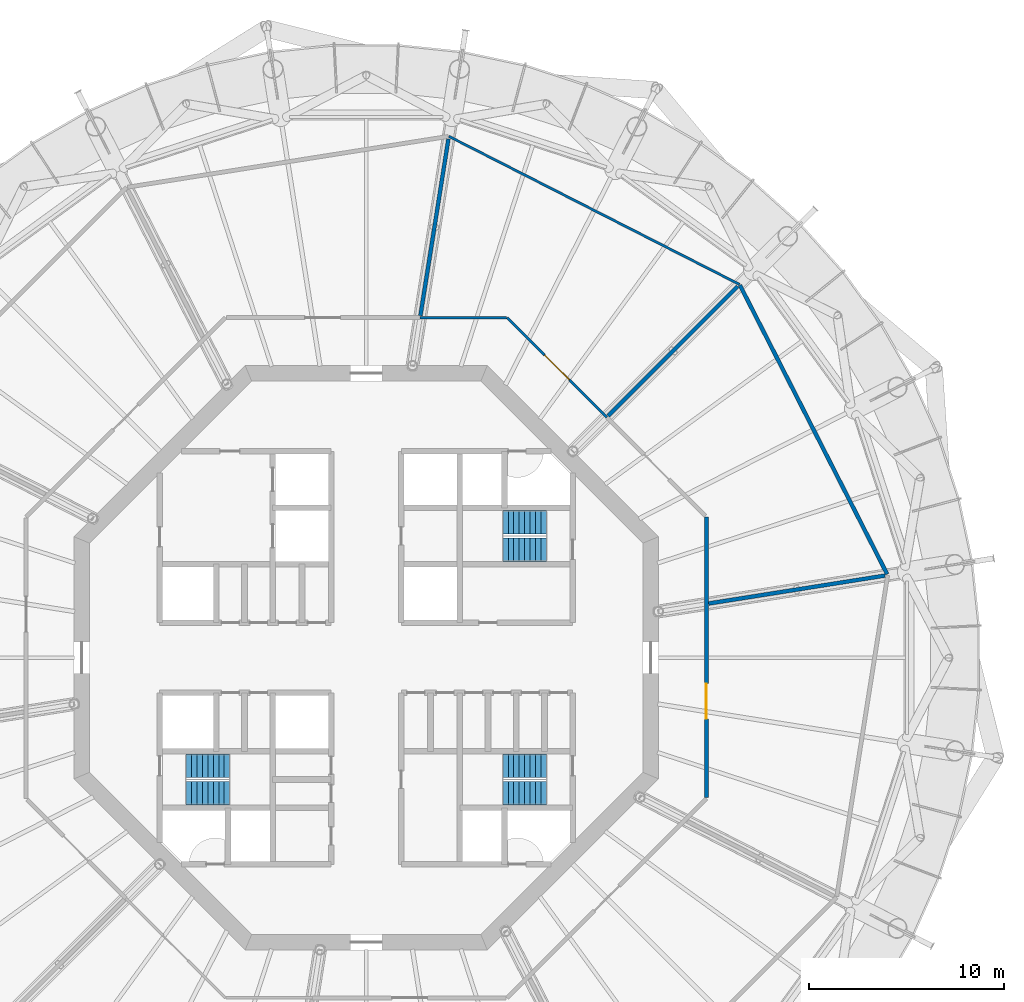
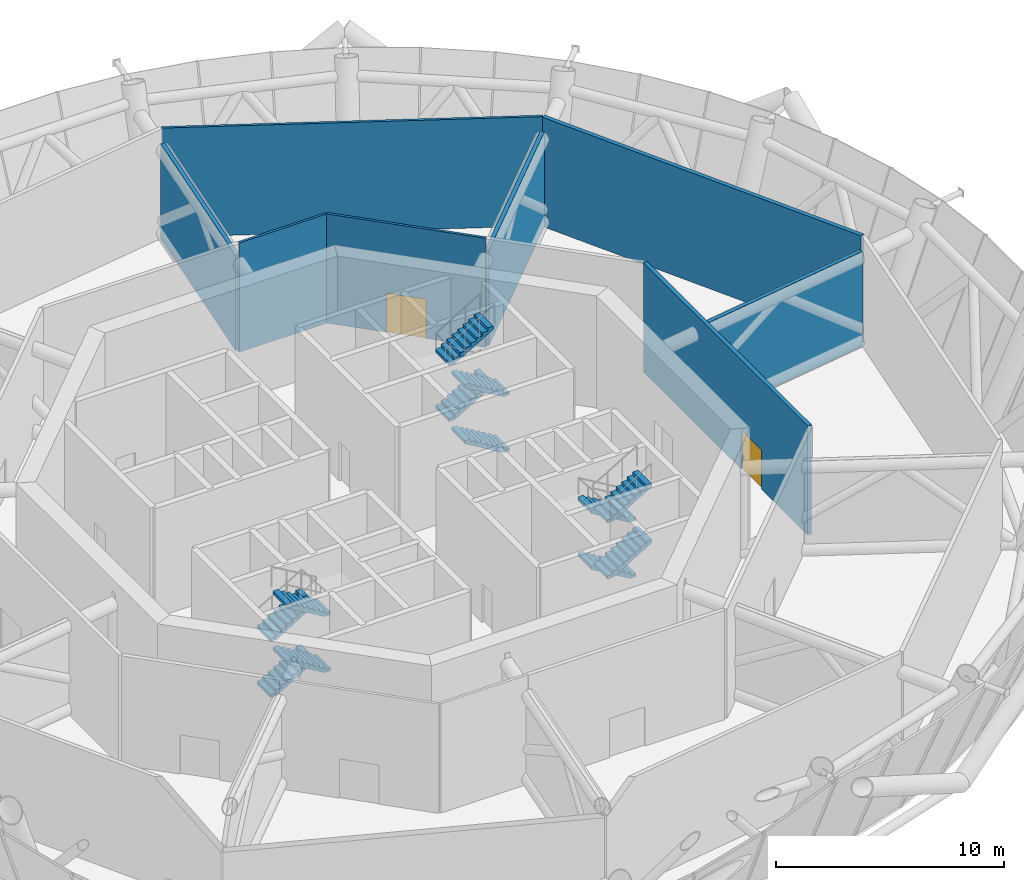
# One storey, part 10 of 20: 12 stair flights, 8 walls, 2 doors, 2 openings, 3 elements without a shape of their own.
"""IFC4 building model written with IfcOpenShell, lengths in metres."""

from ifc_helpers import new_model, si_unit, direction, frame, frame_2d, origin, place, context, subcontext, project, spatial, polyline, rectangle, outline, extrude, material, layer, layer_set, type_object, element, fill, aggregate, save


model = new_model("IFC4")

# Units and contexts
model_context = context("Model", 3, precision=1e-05, world=origin(), true_north=direction((0.0, 1.0)))
body_context = subcontext(model_context, "Body", "Model", "MODEL_VIEW")
ifc_project = project(units=[si_unit("LENGTHUNIT", "METRE"), si_unit("AREAUNIT", "SQUARE_METRE"), si_unit("VOLUMEUNIT", "CUBIC_METRE"), si_unit("PLANEANGLEUNIT", "RADIAN"), si_unit("MASSUNIT", "GRAM", prefix="KILO")], contexts=[model_context])

# Site, building, storey
site_placement = place(None, origin())
site = spatial("IfcSite", under=ifc_project, at=site_placement, CompositionType="ELEMENT")
building_placement = place(site_placement, origin())
building = spatial("IfcBuilding", under=site, at=building_placement, Name="Entoto Ring Tower", CompositionType="ELEMENT")
storey_placement = place(building_placement, frame((0.0, 0.0, 330.0)))
storey = spatial("IfcBuildingStorey", under=building, at=storey_placement, Name="L76", CompositionType="ELEMENT", Elevation=330.0)

# Wall
ifc_material_1 = material(Name="Fire-resisting plasterboard on steel studs", Category="steel")
ifc_layer_1 = layer(ifc_material_1, 0.125)
ifc_layer_set_1 = layer_set([ifc_layer_1], Name="Fire-resisting plasterboard on steel studs")
wall_type_1 = type_object("IfcWallType", Name="Corridor wall 125 mm one-hour plasterboard on steel studs", PredefinedType="PARTITIONING", material=ifc_layer_set_1)
wall_1_placement = place(storey_placement, frame((109.16259765625, 99.16259765625, 0.0), z_axis=(0.0, 0.0, 1.0), x_axis=(-0.891005009393, 0.45399347268, 0.0)))
element("IfcWall", 1, at=wall_1_placement, inside=storey, type_object=wall_type_1, Name="partition-L76-002", PredefinedType="PARTITIONING", context=body_context, shape_type="SweptSolid", body=[
    extrude(rectangle(XDim=16.74853515625, YDim=0.125, at=frame_2d((8.374267578125, 0.0))), origin(), (0.0, 0.0, 1.0), 5.85009765625),
])

# Wall, opening, door
wall_2_placement = place(storey_placement, frame((102.347900390625, 92.347900390625, 0.0), z_axis=(0.0, 0.0, 1.0), x_axis=(-0.707123657445, 0.707089904526, 0.0)))
wall_2 = element("IfcWall", 2, at=wall_2_placement, inside=storey, type_object=wall_type_1, Name="partition-L76-004", PredefinedType="PARTITIONING", context=body_context, shape_type="SweptSolid", body=[
    extrude(rectangle(XDim=7.233154296875, YDim=0.125, at=frame_2d((3.61669921875, 0.0))), origin(), (0.0, 0.0, 1.0), 5.85009765625),
])
opening_1_placement = place(wall_2_placement, frame((2.716552734375, 0.0, 0.0)))
opening_1 = element("IfcOpeningElement", 3, at=opening_1_placement, cuts=wall_2, Name="Opening A33-D02", PredefinedType="OPENING", context=body_context, shape_type="SweptSolid", body=[
    extrude(rectangle(XDim=1.800048828125, YDim=2.10009765625, at=frame_2d((0.89990234375, 1.050048828125))), frame((0.0, 0.072509765625, 0.0), z_axis=(0.0, -1.0, 0.0), x_axis=(1.0, 0.0, 0.0)), (0.0, 0.0, 1.0), 0.14501953125),
])
ifc_material_2 = material(Name="Fire-resisting timber door set", Category="wood")
door_type_1 = type_object("IfcDoorType", Name="Door 1800 x 2100 double leaf FD30S fire door", OperationType="DOUBLE_DOOR_SINGLE_SWING", PredefinedType="DOOR", material=ifc_material_2)
door_1_placement = place(opening_1_placement, frame((1.800048828125, 0.0, 0.0), z_axis=(0.0, 0.0, 1.0), x_axis=(-1.0, 0.0, 0.0)))
door_1 = element("IfcDoor", 4, at=door_1_placement, inside=storey, type_object=door_type_1, Name="Door A33-D02", OperationType="DOUBLE_DOOR_SINGLE_SWING", OverallHeight=2.10009765625, OverallWidth=1.800048828125, PredefinedType="DOOR", context=body_context, shape_type="SweptSolid", body=[
    extrude(rectangle(XDim=1.800048828125, YDim=2.10009765625, at=frame_2d((0.89990234375, 1.050048828125))), frame((0.0, 0.02490234375, 0.0), z_axis=(0.0, -1.0, 0.0), x_axis=(1.0, 0.0, 0.0)), (0.0, 0.0, 1.0), 0.050048828125),
])
fill(opening_1, door_1)

# Walls
wall_3_placement = place(storey_placement, frame((92.765869140625, 97.46240234375, 0.0), z_axis=(0.0, 0.0, 1.0), x_axis=(1.0, 0.0, 0.0)))
element("IfcWall", 5, at=wall_3_placement, inside=storey, type_object=wall_type_1, Name="partition-L76-006", PredefinedType="PARTITIONING", context=body_context, shape_type="SweptSolid", body=[
    extrude(rectangle(XDim=4.42333984375, YDim=0.125, at=frame_2d((2.211669921875, 0.0))), origin(), (0.0, 0.0, 1.0), 5.85009765625),
])
ifc_material_3 = material(Name="Concrete C20/25", Category="concrete")
ifc_layer_2 = layer(ifc_material_3, 0.199951171875)
ifc_layer_set_2 = layer_set([ifc_layer_2], Name="Concrete C20/25")
wall_type_2 = type_object("IfcWallType", Name="Plant room wall 200 mm two-hour concrete", PredefinedType="PARTITIONING", material=ifc_layer_set_2)
wall_4_placement = place(storey_placement, frame((116.73974609375, 84.29150390625, 0.0), z_axis=(0.0, 0.0, 1.0), x_axis=(-0.45398529397, 0.891009176641, 0.0)))
element("IfcWall", 6, at=wall_4_placement, inside=storey, type_object=wall_type_2, Name="partition-L76-014", PredefinedType="PARTITIONING", context=body_context, shape_type="SweptSolid", body=[
    extrude(rectangle(XDim=16.65380859375, YDim=0.199951171875, at=frame_2d((8.326904296875, 0.0))), origin(), (0.0, 0.0, 1.0), 5.85009765625),
])

# Wall, opening, door
wall_5_placement = place(storey_placement, frame((107.46240234375, 72.83740234375, 0.0), z_axis=(0.0, 0.0, 1.0), x_axis=(0.0, 1.0, 0.0)))
wall_5 = element("IfcWall", 7, at=wall_5_placement, inside=storey, type_object=wall_type_2, Name="partition-L76-018", PredefinedType="PARTITIONING", context=body_context, shape_type="SweptSolid", body=[
    extrude(rectangle(XDim=14.395751953125, YDim=0.199951171875, at=frame_2d((7.19775390625, 0.0))), origin(), (0.0, 0.0, 1.0), 5.85009765625),
])
opening_2_placement = place(wall_5_placement, frame((4.029052734375, 0.0, 0.0)))
opening_2 = element("IfcOpeningElement", 8, at=opening_2_placement, cuts=wall_5, Name="Opening A33-D10", PredefinedType="OPENING", context=body_context, shape_type="SweptSolid", body=[
    extrude(rectangle(XDim=1.800048828125, YDim=2.10009765625, at=frame_2d((0.89990234375, 1.050048828125))), frame((0.0, 0.10986328125, 0.0), z_axis=(0.0, -1.0, 0.0), x_axis=(1.0, 0.0, 0.0)), (0.0, 0.0, 1.0), 0.219970703125),
])
ifc_material_4 = material(Name="Fire-resisting steel door set", Category="steel")
door_type_2 = type_object("IfcDoorType", Name="Door 1800 x 2100 double leaf FD60 steel door", OperationType="DOUBLE_DOOR_SINGLE_SWING", PredefinedType="DOOR", material=ifc_material_4)
door_2_placement = place(opening_2_placement, frame((1.800048828125, 0.0, 0.0), z_axis=(0.0, 0.0, 1.0), x_axis=(-1.0, 0.0, 0.0)))
door_2 = element("IfcDoor", 9, at=door_2_placement, inside=storey, type_object=door_type_2, Name="Door A33-D10", OperationType="DOUBLE_DOOR_SINGLE_SWING", OverallHeight=2.10009765625, OverallWidth=1.800048828125, PredefinedType="DOOR", context=body_context, shape_type="SweptSolid", body=[
    extrude(rectangle(XDim=1.800048828125, YDim=2.10009765625, at=frame_2d((0.89990234375, 1.050048828125))), frame((0.0, 0.02490234375, 0.0), z_axis=(0.0, -1.0, 0.0), x_axis=(1.0, 0.0, 0.0)), (0.0, 0.0, 1.0), 0.050048828125),
])
fill(opening_2, door_2)

# Walls
ifc_material_5 = material(Name="Concrete C20/25", Category="concrete")
ifc_layer_3 = layer(ifc_material_5, 0.199951171875)
ifc_layer_set_3 = layer_set([ifc_layer_3], Name="Concrete C20/25")
wall_type_3 = type_object("IfcWallType", Name="Plant room wall 200 mm two-hour concrete, 5097 mm high", PredefinedType="PARTITIONING", material=ifc_layer_set_3)
wall_6_placement = place(storey_placement, frame((102.418701171875, 92.418701171875, 0.0), z_axis=(0.0, 0.0, 1.0), x_axis=(0.707106781187, 0.707106781187, 0.0)))
element("IfcWall", 10, at=wall_6_placement, inside=storey, type_object=wall_type_3, Name="partition-L76-022", PredefinedType="PARTITIONING", context=body_context, shape_type="SweptSolid", body=[
    extrude(rectangle(XDim=9.39990234375, YDim=0.199951171875, at=frame_2d((4.699951171875, 0.0))), origin(), (0.0, 0.0, 1.0), 5.096923828125),
])
wall_7_placement = place(storey_placement, frame((92.78125, 97.56005859375, 0.0), z_axis=(0.0, 0.0, 1.0), x_axis=(0.156448544149, 0.987686110581, 0.0)))
element("IfcWall", 11, at=wall_7_placement, inside=storey, type_object=wall_type_3, Name="partition-L76-025", PredefinedType="PARTITIONING", context=body_context, shape_type="SweptSolid", body=[
    extrude(rectangle(XDim=9.18359375, YDim=0.199951171875, at=frame_2d((4.591796875, 0.0))), origin(), (0.0, 0.0, 1.0), 5.096923828125),
])
wall_8_placement = place(storey_placement, frame((107.578125, 82.7841796875, 0.0), z_axis=(0.0, 0.0, 1.0), x_axis=(0.987687256754, 0.156441307989, 0.0)))
element("IfcWall", 12, at=wall_8_placement, inside=storey, type_object=wall_type_3, Name="partition-L76-026", PredefinedType="PARTITIONING", context=body_context, shape_type="SweptSolid", body=[
    extrude(rectangle(XDim=9.165283203125, YDim=0.199951171875, at=frame_2d((4.58251953125, 0.0))), origin(), (0.0, 0.0, 1.0), 5.096923828125),
])

# Stair, stair flights
ifc_material_6 = material(Name="Concrete C40/50", Category="concrete")
stair_type = type_object("IfcStairType", Name="Exit stair 1200 mm dog-leg reinforced concrete", PredefinedType="HALF_TURN_STAIR", material=ifc_material_6)
stair_1_placement = place(storey_placement, origin())
stair_1 = element("IfcStair", 13, at=stair_1_placement, inside=storey, type_object=stair_type, Name="Exit stair 1", PredefinedType="HALF_TURN_STAIR")
ifc_material_7 = material(Name="Concrete C40/50", Category="concrete")
stair_flight_type = type_object("IfcStairFlightType", Name="Stair flight 1200 mm reinforced concrete", PredefinedType="STRAIGHT", material=ifc_material_7)
stair_flight_1_placement = place(storey_placement, frame((99.25, 85.550048828125, 0.0), z_axis=(0.0, 0.0, 1.0), x_axis=(-1.0, 0.0, 0.0)))
stair_flight_1 = element("IfcStairFlight", 14, at=stair_flight_1_placement, type_object=stair_flight_type, Name="ST1 flight 1", NumberOfRisers=9, NumberOfTreads=8, PredefinedType="STRAIGHT", RiserHeight=0.166666667, TreadLength=0.28, context=body_context, shape_type="SweptSolid", body=[
    extrude(outline(polyline([(0.0, 0.0), (0.0, 0.166748046875), (0.280029296875, 0.166748046875), (0.280029296875, 0.333251953125), (0.56005859375, 0.333251953125), (0.56005859375, 0.5), (0.840087890625, 0.5), (0.840087890625, 0.666748046875), (1.1201171875, 0.666748046875), (1.1201171875, 0.833251953125), (1.39990234375, 0.833251953125), (1.39990234375, 1.0), (1.679931640625, 1.0), (1.679931640625, 1.166748046875), (1.9599609375, 1.166748046875), (1.9599609375, 1.333251953125), (2.239990234375, 1.333251953125), (2.239990234375, 1.5), (2.239990234375, 1.158935546875), (0.29296875, 0.0), (0.0, 0.0)])), frame((0.0, 0.60009765625, 0.0), z_axis=(0.0, -1.0, 0.0), x_axis=(1.0, 0.0, 0.0)), (0.0, 0.0, 1.0), 1.199951171875),
])
stair_flight_2_placement = place(storey_placement, frame((97.010009765625, 86.949951171875, 1.5), z_axis=(0.0, 0.0, 1.0), x_axis=(1.0, 0.0, 0.0)))
stair_flight_2 = element("IfcStairFlight", 15, at=stair_flight_2_placement, type_object=stair_flight_type, Name="ST1 flight 2", NumberOfRisers=9, NumberOfTreads=8, PredefinedType="STRAIGHT", RiserHeight=0.166666667, TreadLength=0.28, context=body_context, shape_type="SweptSolid", body=[
    extrude(outline(polyline([(0.0, 0.0), (0.0, 0.166748046875), (0.280029296875, 0.166748046875), (0.280029296875, 0.333251953125), (0.56005859375, 0.333251953125), (0.56005859375, 0.5), (0.840087890625, 0.5), (0.840087890625, 0.666748046875), (1.1201171875, 0.666748046875), (1.1201171875, 0.833251953125), (1.39990234375, 0.833251953125), (1.39990234375, 1.0), (1.679931640625, 1.0), (1.679931640625, 1.166748046875), (1.9599609375, 1.166748046875), (1.9599609375, 1.333251953125), (2.239990234375, 1.333251953125), (2.239990234375, 1.5), (2.239990234375, 1.158935546875), (0.29296875, 0.0), (0.0, 0.0)])), frame((0.0, 0.60009765625, 0.0), z_axis=(0.0, -1.0, 0.0), x_axis=(1.0, 0.0, 0.0)), (0.0, 0.0, 1.0), 1.199951171875),
])
stair_flight_3_placement = place(storey_placement, frame((99.25, 85.550048828125, 3.0), z_axis=(0.0, 0.0, 1.0), x_axis=(-1.0, 0.0, 0.0)))
stair_flight_3 = element("IfcStairFlight", 16, at=stair_flight_3_placement, type_object=stair_flight_type, Name="ST1 flight 3", NumberOfRisers=9, NumberOfTreads=8, PredefinedType="STRAIGHT", RiserHeight=0.166666667, TreadLength=0.28, context=body_context, shape_type="SweptSolid", body=[
    extrude(outline(polyline([(0.0, 0.0), (0.0, 0.166748046875), (0.280029296875, 0.166748046875), (0.280029296875, 0.333251953125), (0.56005859375, 0.333251953125), (0.56005859375, 0.5), (0.840087890625, 0.5), (0.840087890625, 0.666748046875), (1.1201171875, 0.666748046875), (1.1201171875, 0.833251953125), (1.39990234375, 0.833251953125), (1.39990234375, 1.0), (1.679931640625, 1.0), (1.679931640625, 1.166748046875), (1.9599609375, 1.166748046875), (1.9599609375, 1.333251953125), (2.239990234375, 1.333251953125), (2.239990234375, 1.5), (2.239990234375, 1.158935546875), (0.29296875, 0.0), (0.0, 0.0)])), frame((0.0, 0.60009765625, 0.0), z_axis=(0.0, -1.0, 0.0), x_axis=(1.0, 0.0, 0.0)), (0.0, 0.0, 1.0), 1.199951171875),
])
stair_flight_4_placement = place(storey_placement, frame((97.010009765625, 86.949951171875, 4.5), z_axis=(0.0, 0.0, 1.0), x_axis=(1.0, 0.0, 0.0)))
stair_flight_4 = element("IfcStairFlight", 17, at=stair_flight_4_placement, type_object=stair_flight_type, Name="ST1 flight 4", NumberOfRisers=9, NumberOfTreads=8, PredefinedType="STRAIGHT", RiserHeight=0.166666667, TreadLength=0.28, context=body_context, shape_type="SweptSolid", body=[
    extrude(outline(polyline([(0.0, 0.0), (0.0, 0.166748046875), (0.280029296875, 0.166748046875), (0.280029296875, 0.333251953125), (0.56005859375, 0.333251953125), (0.56005859375, 0.5), (0.840087890625, 0.5), (0.840087890625, 0.666748046875), (1.1201171875, 0.666748046875), (1.1201171875, 0.833251953125), (1.39990234375, 0.833251953125), (1.39990234375, 1.0), (1.679931640625, 1.0), (1.679931640625, 1.166748046875), (1.9599609375, 1.166748046875), (1.9599609375, 1.333251953125), (2.239990234375, 1.333251953125), (2.239990234375, 1.5), (2.239990234375, 1.158935546875), (0.29296875, 0.0), (0.0, 0.0)])), frame((0.0, 0.60009765625, 0.0), z_axis=(0.0, -1.0, 0.0), x_axis=(1.0, 0.0, 0.0)), (0.0, 0.0, 1.0), 1.199951171875),
])
aggregate(stair_1, [stair_flight_1, stair_flight_2, stair_flight_3, stair_flight_4])

stair_2_placement = place(storey_placement, origin())
stair_2 = element("IfcStair", 18, at=stair_2_placement, inside=storey, type_object=stair_type, Name="Exit stair 2", PredefinedType="HALF_TURN_STAIR")
stair_flight_5_placement = place(storey_placement, frame((80.75, 74.449951171875, 0.0), z_axis=(0.0, 0.0, 1.0), x_axis=(1.0, 0.0, 0.0)))
stair_flight_5 = element("IfcStairFlight", 19, at=stair_flight_5_placement, type_object=stair_flight_type, Name="ST2 flight 1", NumberOfRisers=9, NumberOfTreads=8, PredefinedType="STRAIGHT", RiserHeight=0.166666667, TreadLength=0.28, context=body_context, shape_type="SweptSolid", body=[
    extrude(outline(polyline([(0.0, 0.0), (0.0, 0.166748046875), (0.280029296875, 0.166748046875), (0.280029296875, 0.333251953125), (0.56005859375, 0.333251953125), (0.56005859375, 0.5), (0.840087890625, 0.5), (0.840087890625, 0.666748046875), (1.1201171875, 0.666748046875), (1.1201171875, 0.833251953125), (1.39990234375, 0.833251953125), (1.39990234375, 1.0), (1.679931640625, 1.0), (1.679931640625, 1.166748046875), (1.9599609375, 1.166748046875), (1.9599609375, 1.333251953125), (2.239990234375, 1.333251953125), (2.239990234375, 1.5), (2.239990234375, 1.158935546875), (0.29296875, 0.0), (0.0, 0.0)])), frame((0.0, 0.60009765625, 0.0), z_axis=(0.0, -1.0, 0.0), x_axis=(1.0, 0.0, 0.0)), (0.0, 0.0, 1.0), 1.199951171875),
])
stair_flight_6_placement = place(storey_placement, frame((82.989990234375, 73.050048828125, 1.5), z_axis=(0.0, 0.0, 1.0), x_axis=(-1.0, 0.0, 0.0)))
stair_flight_6 = element("IfcStairFlight", 20, at=stair_flight_6_placement, type_object=stair_flight_type, Name="ST2 flight 2", NumberOfRisers=9, NumberOfTreads=8, PredefinedType="STRAIGHT", RiserHeight=0.166666667, TreadLength=0.28, context=body_context, shape_type="SweptSolid", body=[
    extrude(outline(polyline([(0.0, 0.0), (0.0, 0.166748046875), (0.280029296875, 0.166748046875), (0.280029296875, 0.333251953125), (0.56005859375, 0.333251953125), (0.56005859375, 0.5), (0.840087890625, 0.5), (0.840087890625, 0.666748046875), (1.1201171875, 0.666748046875), (1.1201171875, 0.833251953125), (1.39990234375, 0.833251953125), (1.39990234375, 1.0), (1.679931640625, 1.0), (1.679931640625, 1.166748046875), (1.9599609375, 1.166748046875), (1.9599609375, 1.333251953125), (2.239990234375, 1.333251953125), (2.239990234375, 1.5), (2.239990234375, 1.158935546875), (0.29296875, 0.0), (0.0, 0.0)])), frame((0.0, 0.60009765625, 0.0), z_axis=(0.0, -1.0, 0.0), x_axis=(1.0, 0.0, 0.0)), (0.0, 0.0, 1.0), 1.199951171875),
])
stair_flight_7_placement = place(storey_placement, frame((80.75, 74.449951171875, 3.0), z_axis=(0.0, 0.0, 1.0), x_axis=(1.0, 0.0, 0.0)))
stair_flight_7 = element("IfcStairFlight", 21, at=stair_flight_7_placement, type_object=stair_flight_type, Name="ST2 flight 3", NumberOfRisers=9, NumberOfTreads=8, PredefinedType="STRAIGHT", RiserHeight=0.166666667, TreadLength=0.28, context=body_context, shape_type="SweptSolid", body=[
    extrude(outline(polyline([(0.0, 0.0), (0.0, 0.166748046875), (0.280029296875, 0.166748046875), (0.280029296875, 0.333251953125), (0.56005859375, 0.333251953125), (0.56005859375, 0.5), (0.840087890625, 0.5), (0.840087890625, 0.666748046875), (1.1201171875, 0.666748046875), (1.1201171875, 0.833251953125), (1.39990234375, 0.833251953125), (1.39990234375, 1.0), (1.679931640625, 1.0), (1.679931640625, 1.166748046875), (1.9599609375, 1.166748046875), (1.9599609375, 1.333251953125), (2.239990234375, 1.333251953125), (2.239990234375, 1.5), (2.239990234375, 1.158935546875), (0.29296875, 0.0), (0.0, 0.0)])), frame((0.0, 0.60009765625, 0.0), z_axis=(0.0, -1.0, 0.0), x_axis=(1.0, 0.0, 0.0)), (0.0, 0.0, 1.0), 1.199951171875),
])
stair_flight_8_placement = place(storey_placement, frame((82.989990234375, 73.050048828125, 4.5), z_axis=(0.0, 0.0, 1.0), x_axis=(-1.0, 0.0, 0.0)))
stair_flight_8 = element("IfcStairFlight", 22, at=stair_flight_8_placement, type_object=stair_flight_type, Name="ST2 flight 4", NumberOfRisers=9, NumberOfTreads=8, PredefinedType="STRAIGHT", RiserHeight=0.166666667, TreadLength=0.28, context=body_context, shape_type="SweptSolid", body=[
    extrude(outline(polyline([(0.0, 0.0), (0.0, 0.166748046875), (0.280029296875, 0.166748046875), (0.280029296875, 0.333251953125), (0.56005859375, 0.333251953125), (0.56005859375, 0.5), (0.840087890625, 0.5), (0.840087890625, 0.666748046875), (1.1201171875, 0.666748046875), (1.1201171875, 0.833251953125), (1.39990234375, 0.833251953125), (1.39990234375, 1.0), (1.679931640625, 1.0), (1.679931640625, 1.166748046875), (1.9599609375, 1.166748046875), (1.9599609375, 1.333251953125), (2.239990234375, 1.333251953125), (2.239990234375, 1.5), (2.239990234375, 1.158935546875), (0.29296875, 0.0), (0.0, 0.0)])), frame((0.0, 0.60009765625, 0.0), z_axis=(0.0, -1.0, 0.0), x_axis=(1.0, 0.0, 0.0)), (0.0, 0.0, 1.0), 1.199951171875),
])
aggregate(stair_2, [stair_flight_5, stair_flight_6, stair_flight_7, stair_flight_8])

stair_3_placement = place(storey_placement, origin())
stair_3 = element("IfcStair", 23, at=stair_3_placement, inside=storey, type_object=stair_type, Name="Exit stair 3", PredefinedType="HALF_TURN_STAIR")
stair_flight_9_placement = place(storey_placement, frame((99.25, 74.449951171875, 0.0), z_axis=(0.0, 0.0, 1.0), x_axis=(-1.0, 0.0, 0.0)))
stair_flight_9 = element("IfcStairFlight", 24, at=stair_flight_9_placement, type_object=stair_flight_type, Name="ST3 flight 1", NumberOfRisers=9, NumberOfTreads=8, PredefinedType="STRAIGHT", RiserHeight=0.166666667, TreadLength=0.28, context=body_context, shape_type="SweptSolid", body=[
    extrude(outline(polyline([(0.0, 0.0), (0.0, 0.166748046875), (0.280029296875, 0.166748046875), (0.280029296875, 0.333251953125), (0.56005859375, 0.333251953125), (0.56005859375, 0.5), (0.840087890625, 0.5), (0.840087890625, 0.666748046875), (1.1201171875, 0.666748046875), (1.1201171875, 0.833251953125), (1.39990234375, 0.833251953125), (1.39990234375, 1.0), (1.679931640625, 1.0), (1.679931640625, 1.166748046875), (1.9599609375, 1.166748046875), (1.9599609375, 1.333251953125), (2.239990234375, 1.333251953125), (2.239990234375, 1.5), (2.239990234375, 1.158935546875), (0.29296875, 0.0), (0.0, 0.0)])), frame((0.0, 0.60009765625, 0.0), z_axis=(0.0, -1.0, 0.0), x_axis=(1.0, 0.0, 0.0)), (0.0, 0.0, 1.0), 1.199951171875),
])
stair_flight_10_placement = place(storey_placement, frame((97.010009765625, 73.050048828125, 1.5), z_axis=(0.0, 0.0, 1.0), x_axis=(1.0, 0.0, 0.0)))
stair_flight_10 = element("IfcStairFlight", 25, at=stair_flight_10_placement, type_object=stair_flight_type, Name="ST3 flight 2", NumberOfRisers=9, NumberOfTreads=8, PredefinedType="STRAIGHT", RiserHeight=0.166666667, TreadLength=0.28, context=body_context, shape_type="SweptSolid", body=[
    extrude(outline(polyline([(0.0, 0.0), (0.0, 0.166748046875), (0.280029296875, 0.166748046875), (0.280029296875, 0.333251953125), (0.56005859375, 0.333251953125), (0.56005859375, 0.5), (0.840087890625, 0.5), (0.840087890625, 0.666748046875), (1.1201171875, 0.666748046875), (1.1201171875, 0.833251953125), (1.39990234375, 0.833251953125), (1.39990234375, 1.0), (1.679931640625, 1.0), (1.679931640625, 1.166748046875), (1.9599609375, 1.166748046875), (1.9599609375, 1.333251953125), (2.239990234375, 1.333251953125), (2.239990234375, 1.5), (2.239990234375, 1.158935546875), (0.29296875, 0.0), (0.0, 0.0)])), frame((0.0, 0.60009765625, 0.0), z_axis=(0.0, -1.0, 0.0), x_axis=(1.0, 0.0, 0.0)), (0.0, 0.0, 1.0), 1.199951171875),
])
stair_flight_11_placement = place(storey_placement, frame((99.25, 74.449951171875, 3.0), z_axis=(0.0, 0.0, 1.0), x_axis=(-1.0, 0.0, 0.0)))
stair_flight_11 = element("IfcStairFlight", 26, at=stair_flight_11_placement, type_object=stair_flight_type, Name="ST3 flight 3", NumberOfRisers=9, NumberOfTreads=8, PredefinedType="STRAIGHT", RiserHeight=0.166666667, TreadLength=0.28, context=body_context, shape_type="SweptSolid", body=[
    extrude(outline(polyline([(0.0, 0.0), (0.0, 0.166748046875), (0.280029296875, 0.166748046875), (0.280029296875, 0.333251953125), (0.56005859375, 0.333251953125), (0.56005859375, 0.5), (0.840087890625, 0.5), (0.840087890625, 0.666748046875), (1.1201171875, 0.666748046875), (1.1201171875, 0.833251953125), (1.39990234375, 0.833251953125), (1.39990234375, 1.0), (1.679931640625, 1.0), (1.679931640625, 1.166748046875), (1.9599609375, 1.166748046875), (1.9599609375, 1.333251953125), (2.239990234375, 1.333251953125), (2.239990234375, 1.5), (2.239990234375, 1.158935546875), (0.29296875, 0.0), (0.0, 0.0)])), frame((0.0, 0.60009765625, 0.0), z_axis=(0.0, -1.0, 0.0), x_axis=(1.0, 0.0, 0.0)), (0.0, 0.0, 1.0), 1.199951171875),
])
stair_flight_12_placement = place(storey_placement, frame((97.010009765625, 73.050048828125, 4.5), z_axis=(0.0, 0.0, 1.0), x_axis=(1.0, 0.0, 0.0)))
stair_flight_12 = element("IfcStairFlight", 27, at=stair_flight_12_placement, type_object=stair_flight_type, Name="ST3 flight 4", NumberOfRisers=9, NumberOfTreads=8, PredefinedType="STRAIGHT", RiserHeight=0.166666667, TreadLength=0.28, context=body_context, shape_type="SweptSolid", body=[
    extrude(outline(polyline([(0.0, 0.0), (0.0, 0.166748046875), (0.280029296875, 0.166748046875), (0.280029296875, 0.333251953125), (0.56005859375, 0.333251953125), (0.56005859375, 0.5), (0.840087890625, 0.5), (0.840087890625, 0.666748046875), (1.1201171875, 0.666748046875), (1.1201171875, 0.833251953125), (1.39990234375, 0.833251953125), (1.39990234375, 1.0), (1.679931640625, 1.0), (1.679931640625, 1.166748046875), (1.9599609375, 1.166748046875), (1.9599609375, 1.333251953125), (2.239990234375, 1.333251953125), (2.239990234375, 1.5), (2.239990234375, 1.158935546875), (0.29296875, 0.0), (0.0, 0.0)])), frame((0.0, 0.60009765625, 0.0), z_axis=(0.0, -1.0, 0.0), x_axis=(1.0, 0.0, 0.0)), (0.0, 0.0, 1.0), 1.199951171875),
])
aggregate(stair_3, [stair_flight_9, stair_flight_10, stair_flight_11, stair_flight_12])

save(model, "model.ifc")
